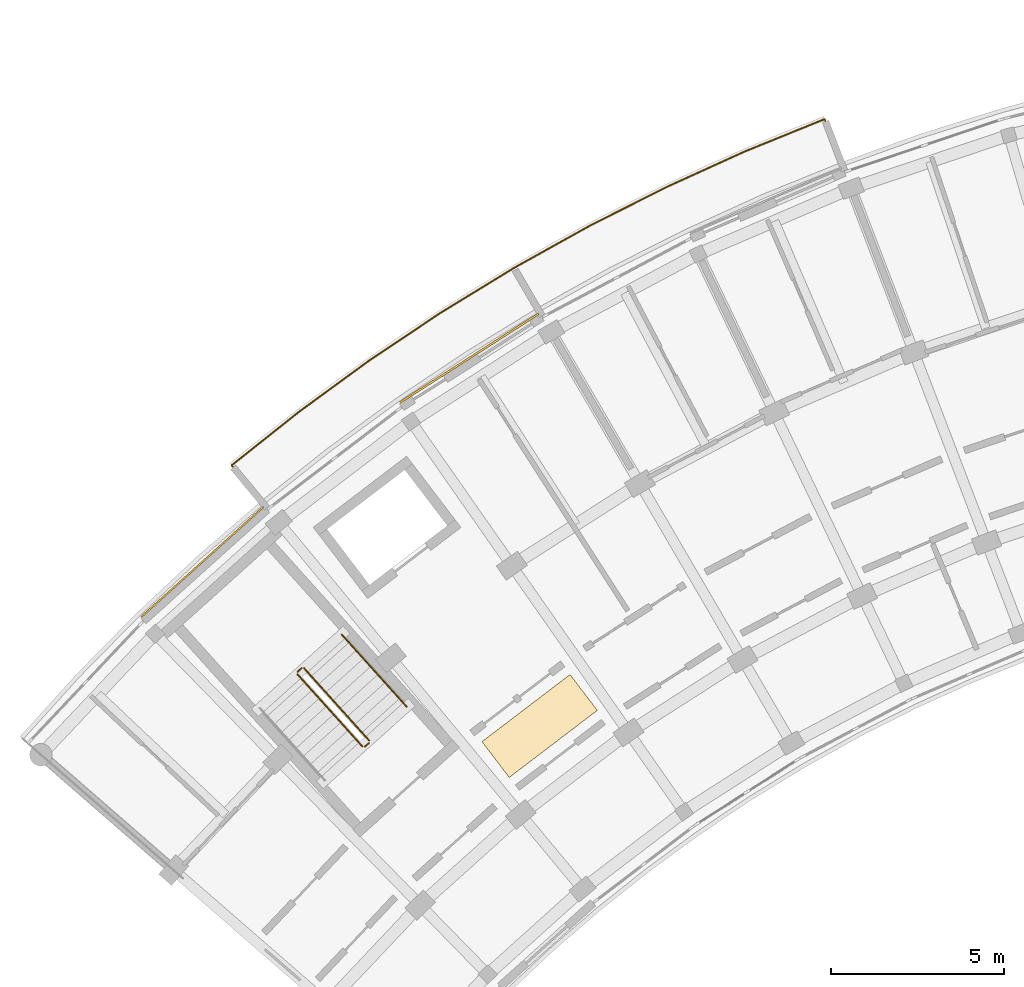
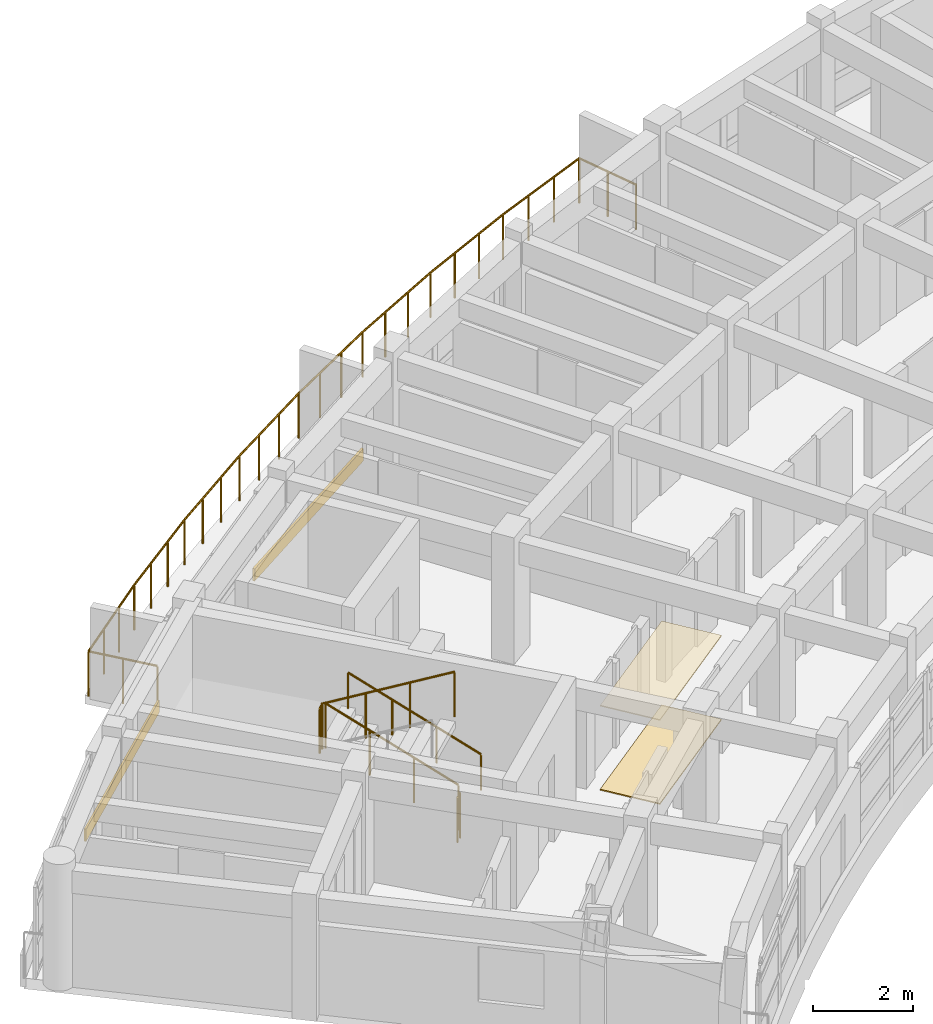
# One storey, part 33 of 40: 6 railings, 4 coverings.
"""IFC4 building model written with IfcOpenShell, lengths in metres."""

from ifc_helpers import new_model, si_unit, direction, frame, origin, origin_2d, place, context, subcontext, project, spatial, rectangle, circle, extrude, material, layer, layer_set, type_object, element, save


model = new_model("IFC4")

# Units and contexts
model_context = context("Model", 3, precision=1e-05, world=origin(), true_north=direction((0.0, 1.0)))
body_context = subcontext(model_context, "Body", "Model", "MODEL_VIEW")
ifc_project = project(units=[si_unit("LENGTHUNIT", "METRE"), si_unit("AREAUNIT", "SQUARE_METRE"), si_unit("VOLUMEUNIT", "CUBIC_METRE"), si_unit("PLANEANGLEUNIT", "RADIAN"), si_unit("MASSUNIT", "GRAM", prefix="KILO")], contexts=[model_context])

# Site, building, storey
site_placement = place(None, origin())
site = spatial("IfcSite", under=ifc_project, at=site_placement, CompositionType="ELEMENT")
building_placement = place(site_placement, origin())
building = spatial("IfcBuilding", under=site, at=building_placement, Name="Zimvara Arc Housing Community", CompositionType="ELEMENT")
storey_placement = place(building_placement, frame((0.0, 0.0, 32.89990234375)))
storey = spatial("IfcBuildingStorey", under=building, at=storey_placement, Name="L10", CompositionType="ELEMENT", Elevation=32.89990234375)

# Coverings
ifc_material_1 = material(Name="Pale-Gold Anodised Aluminium Cladding", Category="aluminium")
ifc_layer_1 = layer(ifc_material_1, 0.044921875)
ifc_layer_set_1 = layer_set([ifc_layer_1], Name="Pale-Gold Anodised Aluminium Cladding")
covering_type_1 = type_object("IfcCoveringType", Name="CLD-GOLD-02", PredefinedType="CLADDING", material=ifc_layer_set_1)
covering_1_placement = place(storey_placement, frame((5.22900390625, 88.701171875, 0.01025390625), z_axis=(0.0, 0.0, 1.0), x_axis=(0.74337718344, 0.668872456557, 0.0)))
element("IfcCovering", 1, at=covering_1_placement, inside=storey, type_object=covering_type_1, Name="cld:blkA:L10:out:b1", PredefinedType="CLADDING", context=body_context, shape_type="SweptSolid", body=[
    extrude(rectangle(XDim=4.748779296875, YDim=0.044921875, at=origin_2d()), origin(), (0.0, 0.0, 1.0), 0.300048828125),
])
ifc_material_2 = material(Name="Pale-Gold Anodised Aluminium Cladding", Category="aluminium")
ifc_layer_2 = layer(ifc_material_2, 0.054931640625)
ifc_layer_set_2 = layer_set([ifc_layer_2], Name="Pale-Gold Anodised Aluminium Cladding")
covering_type_2 = type_object("IfcCoveringType", Name="CLD-GOLD-04", PredefinedType="CLADDING", material=ifc_layer_set_2)
covering_2_placement = place(storey_placement, frame((12.94189453125, 94.58935546875, 0.01025390625), z_axis=(0.0, 0.0, 1.0), x_axis=(0.842265220048, 0.53906335351, 0.0)))
element("IfcCovering", 2, at=covering_2_placement, inside=storey, type_object=covering_type_2, Name="cld:blkA:L10:out:b3", PredefinedType="CLADDING", context=body_context, shape_type="SweptSolid", body=[
    extrude(rectangle(XDim=4.748779296875, YDim=0.054931640625, at=origin_2d()), origin(), (0.0, 0.0, 1.0), 0.300048828125),
])
ifc_material_3 = material(Name="Perforated Acoustic Ceiling Board")
ifc_layer_3 = layer(ifc_material_3, 0.02490234375)
ifc_layer_set_3 = layer_set([ifc_layer_3], Name="Perforated Acoustic Ceiling Board")
covering_type_3 = type_object("IfcCoveringType", Name="COV-CEIL-03", PredefinedType="CEILING", material=ifc_layer_set_3)
covering_3_placement = place(storey_placement, frame((14.974853515625, 83.959228515625, 2.05517578125), z_axis=(0.0, 0.0, 1.0), x_axis=(-0.605988400266, 0.795473480855, 0.0)))
element("IfcCovering", 3, at=covering_3_placement, inside=storey, type_object=covering_type_3, Name="ceil:blkA:L10", PredefinedType="CEILING", context=body_context, shape_type="SweptSolid", body=[
    extrude(rectangle(XDim=1.300048828125, YDim=3.199951171875, at=origin_2d()), origin(), (0.0, 0.0, 1.0), 0.02490234375),
])
ifc_material_4 = material(Name="Polished Coastal Sand Terrazzo")
ifc_layer_4 = layer(ifc_material_4, 0.028076171875)
ifc_layer_set_4 = layer_set([ifc_layer_4], Name="Polished Coastal Sand Terrazzo")
covering_type_4 = type_object("IfcCoveringType", Name="COV-FLOR-03", PredefinedType="FLOORING", material=ifc_layer_set_4)
covering_4_placement = place(storey_placement, frame((14.974853515625, 83.959228515625, 0.0), z_axis=(0.0, 0.0, 1.0), x_axis=(-0.605988400266, 0.795473480855, 0.0)))
element("IfcCovering", 4, at=covering_4_placement, inside=storey, type_object=covering_type_4, Name="flor:blkA:L10", PredefinedType="FLOORING", context=body_context, shape_type="SweptSolid", body=[
    extrude(rectangle(XDim=1.300048828125, YDim=3.199951171875, at=origin_2d()), origin(), (0.0, 0.0, 1.0), 0.028076171875),
])

# Railings
ifc_material_5 = material(Name="Anodised Aluminium AW-6063", Category="aluminium")
railing_type_1 = type_object("IfcRailingType", Name="RLG-BAL-1120", PredefinedType="BALUSTRADE", material=ifc_material_5)
railing_1_placement = place(storey_placement, frame((7.00927734375, 90.357666015625, 0.0)))
element("IfcRailing", 5, at=railing_1_placement, inside=storey, type_object=railing_type_1, Name="rlg:blkA:L10:bal_out_guard", PredefinedType="BALUSTRADE", context=body_context, shape_type="SweptSolid", body=[
    extrude(circle(Radius=0.02392578125, at=origin_2d()), frame((0.0, 0.0, 1.09619140625), z_axis=(-0.637992539284, 0.770042544161, 0.0), x_axis=(-0.770042544161, -0.637992539284, 0.0)), (0.0, 0.0, 1.0), 1.4697265625),
    extrude(circle(Radius=0.02392578125, at=origin_2d()), frame((-0.937744140625, 1.1318359375, 1.09619140625), z_axis=(0.782948045611, 0.622087098302, 0.0), x_axis=(-0.622087098302, 0.782948045611, 0.0)), (0.0, 0.0, 1.0), 2.4921875),
    extrude(circle(Radius=0.02392578125, at=origin_2d()), frame((1.013427734375, 2.68212890625, 1.09619140625), z_axis=(0.80765852685, 0.589650493095, 0.0), x_axis=(-0.589650493095, 0.80765852685, 0.0)), (0.0, 0.0, 1.0), 2.49169921875),
    extrude(circle(Radius=0.02392578125, at=origin_2d()), frame((3.02587890625, 4.1513671875, 1.09619140625), z_axis=(0.83106930865, 0.556168863044, 0.0), x_axis=(-0.556168863044, 0.83106930865, 0.0)), (0.0, 0.0, 1.0), 2.491943359375),
    extrude(circle(Radius=0.02392578125, at=origin_2d()), frame((5.096923828125, 5.537353515625, 1.09619140625), z_axis=(0.853131649433, 0.521695685947, 0.0), x_axis=(-0.521695685947, 0.853131649433, 0.0)), (0.0, 0.0, 1.0), 2.491943359375),
    extrude(circle(Radius=0.02392578125, at=origin_2d()), frame((7.222900390625, 6.83740234375, 1.09619140625), z_axis=(0.873653060707, 0.486549411178, 0.0), x_axis=(-0.486549411178, 0.873653060707, 0.0)), (0.0, 0.0, 1.0), 2.491943359375),
    extrude(circle(Radius=0.02392578125, at=origin_2d()), frame((9.39990234375, 8.0498046875, 1.09619140625), z_axis=(0.892834384016, 0.450385127107, 0.0), x_axis=(-0.450385127107, 0.892834384016, 0.0)), (0.0, 0.0, 1.0), 2.491943359375),
    extrude(circle(Radius=0.02392578125, at=origin_2d()), frame((11.624755859375, 9.172119140625, 1.09619140625), z_axis=(0.910443630497, 0.413633165604, 0.0), x_axis=(-0.413633165604, 0.910443630497, 0.0)), (0.0, 0.0, 1.0), 2.491943359375),
    extrude(circle(Radius=0.02392578125, at=origin_2d()), frame((13.8935546875, 10.202880859375, 1.09619140625), z_axis=(0.926613832847, 0.37601436778, 0.0), x_axis=(-0.37601436778, 0.926613832847, 0.0)), (0.0, 0.0, 1.0), 2.491943359375),
    extrude(circle(Radius=0.02392578125, at=origin_2d()), frame((16.20263671875, 11.139892578125, 1.09619140625), z_axis=(0.357086323574, -0.934071387805, 0.0), x_axis=(0.934071387805, 0.357086323574, 0.0)), (0.0, 0.0, 1.0), 1.469970703125),
    extrude(circle(Radius=0.02099609375, at=origin_2d()), origin(), (0.0, 0.0, 1.0), 1.072021484375),
    extrude(circle(Radius=0.02099609375, at=origin_2d()), frame((-0.46875, 0.56591796875, 0.0)), (0.0, 0.0, 1.0), 1.072021484375),
    extrude(circle(Radius=0.02099609375, at=origin_2d()), frame((-0.937744140625, 1.1318359375, 0.0)), (0.0, 0.0, 1.0), 1.072021484375),
    extrude(circle(Radius=0.02099609375, at=origin_2d()), frame((-0.287353515625, 1.648681640625, 0.0)), (0.0, 0.0, 1.0), 1.072021484375),
    extrude(circle(Radius=0.02099609375, at=origin_2d()), frame((0.363037109375, 2.165283203125, 0.0)), (0.0, 0.0, 1.0), 1.072021484375),
    extrude(circle(Radius=0.02099609375, at=origin_2d()), frame((1.013427734375, 2.68212890625, 0.0)), (0.0, 0.0, 1.0), 1.072021484375),
    extrude(circle(Radius=0.02099609375, at=origin_2d()), frame((1.684326171875, 3.171875, 0.0)), (0.0, 0.0, 1.0), 1.072021484375),
    extrude(circle(Radius=0.02099609375, at=origin_2d()), frame((2.35498046875, 3.66162109375, 0.0)), (0.0, 0.0, 1.0), 1.072021484375),
    extrude(circle(Radius=0.02099609375, at=origin_2d()), frame((3.02587890625, 4.1513671875, 0.0)), (0.0, 0.0, 1.0), 1.072021484375),
    extrude(circle(Radius=0.02099609375, at=origin_2d()), frame((3.71630859375, 4.61328125, 0.0)), (0.0, 0.0, 1.0), 1.072021484375),
    extrude(circle(Radius=0.02099609375, at=origin_2d()), frame((4.406494140625, 5.075439453125, 0.0)), (0.0, 0.0, 1.0), 1.072021484375),
    extrude(circle(Radius=0.02099609375, at=origin_2d()), frame((5.096923828125, 5.537353515625, 0.0)), (0.0, 0.0, 1.0), 1.072021484375),
    extrude(circle(Radius=0.02099609375, at=origin_2d()), frame((5.8056640625, 5.970703125, 0.0)), (0.0, 0.0, 1.0), 1.072021484375),
    extrude(circle(Radius=0.02099609375, at=origin_2d()), frame((6.51416015625, 6.404052734375, 0.0)), (0.0, 0.0, 1.0), 1.072021484375),
    extrude(circle(Radius=0.02099609375, at=origin_2d()), frame((7.222900390625, 6.83740234375, 0.0)), (0.0, 0.0, 1.0), 1.072021484375),
    extrude(circle(Radius=0.02099609375, at=origin_2d()), frame((7.948486328125, 7.241455078125, 0.0)), (0.0, 0.0, 1.0), 1.072021484375),
    extrude(circle(Radius=0.02099609375, at=origin_2d()), frame((8.67431640625, 7.645751953125, 0.0)), (0.0, 0.0, 1.0), 1.072021484375),
    extrude(circle(Radius=0.02099609375, at=origin_2d()), frame((9.39990234375, 8.0498046875, 0.0)), (0.0, 0.0, 1.0), 1.072021484375),
    extrude(circle(Radius=0.02099609375, at=origin_2d()), frame((10.1416015625, 8.423828125, 0.0)), (0.0, 0.0, 1.0), 1.072021484375),
    extrude(circle(Radius=0.02099609375, at=origin_2d()), frame((10.883056640625, 8.798095703125, 0.0)), (0.0, 0.0, 1.0), 1.072021484375),
    extrude(circle(Radius=0.02099609375, at=origin_2d()), frame((11.624755859375, 9.172119140625, 0.0)), (0.0, 0.0, 1.0), 1.072021484375),
    extrude(circle(Radius=0.02099609375, at=origin_2d()), frame((12.381103515625, 9.515625, 0.0)), (0.0, 0.0, 1.0), 1.072021484375),
    extrude(circle(Radius=0.02099609375, at=origin_2d()), frame((13.13720703125, 9.859375, 0.0)), (0.0, 0.0, 1.0), 1.072021484375),
    extrude(circle(Radius=0.02099609375, at=origin_2d()), frame((13.8935546875, 10.202880859375, 0.0)), (0.0, 0.0, 1.0), 1.072021484375),
    extrude(circle(Radius=0.02099609375, at=origin_2d()), frame((14.663330078125, 10.51513671875, 0.0)), (0.0, 0.0, 1.0), 1.072021484375),
    extrude(circle(Radius=0.02099609375, at=origin_2d()), frame((15.432861328125, 10.82763671875, 0.0)), (0.0, 0.0, 1.0), 1.072021484375),
    extrude(circle(Radius=0.02099609375, at=origin_2d()), frame((16.20263671875, 11.139892578125, 0.0)), (0.0, 0.0, 1.0), 1.072021484375),
    extrude(circle(Radius=0.02099609375, at=origin_2d()), frame((16.465087890625, 10.453369140625, 0.0)), (0.0, 0.0, 1.0), 1.072021484375),
    extrude(circle(Radius=0.02099609375, at=origin_2d()), frame((16.7275390625, 9.766845703125, 0.0)), (0.0, 0.0, 1.0), 1.072021484375),
])
railing_2_placement = place(storey_placement, frame((10.0478515625, 83.5400390625, 0.155029296875)))
element("IfcRailing", 6, at=railing_2_placement, inside=storey, type_object=railing_type_1, Name="L10 ST-A1 stair guard 1", PredefinedType="BALUSTRADE", context=body_context, shape_type="SweptSolid", body=[
    extrude(circle(Radius=0.02392578125, at=origin_2d()), frame((0.0, 0.0, 1.09619140625), z_axis=(-0.599018063854, 0.665748660595, 0.444922555162), x_axis=(-0.743380604779, -0.668868654101, 0.0)), (0.0, 0.0, 1.0), 3.135498046875),
    extrude(circle(Radius=0.02099609375, at=origin_2d()), origin(), (0.0, 0.0, 1.0), 1.072021484375),
    extrude(circle(Radius=0.02099609375, at=origin_2d()), frame((-0.6259765625, 0.69580078125, 0.465087890625)), (0.0, 0.0, 1.0), 1.072021484375),
    extrude(circle(Radius=0.02099609375, at=origin_2d()), frame((-1.252197265625, 1.3916015625, 0.929931640625)), (0.0, 0.0, 1.0), 1.072021484375),
    extrude(circle(Radius=0.02099609375, at=origin_2d()), frame((-1.878173828125, 2.08740234375, 1.39501953125)), (0.0, 0.0, 1.0), 1.072021484375),
])
railing_3_placement = place(storey_placement, frame((8.098876953125, 85.631103515625, 1.550048828125)))
element("IfcRailing", 7, at=railing_3_placement, inside=storey, type_object=railing_type_1, Name="L10 ST-A1 stair guard 2", PredefinedType="BALUSTRADE", context=body_context, shape_type="SweptSolid", body=[
    extrude(circle(Radius=0.02392578125, at=origin_2d()), frame((0.0, 0.0, 1.09619140625), z_axis=(-0.743521848755, -0.668711642207, 0.0), x_axis=(0.668711642207, -0.743521848755, 0.0)), (0.0, 0.0, 1.0), 0.159912109375),
    extrude(circle(Radius=0.02099609375, at=origin_2d()), origin(), (0.0, 0.0, 1.0), 1.072021484375),
    extrude(circle(Radius=0.02099609375, at=origin_2d()), frame((-0.118896484375, -0.10693359375, 0.0)), (0.0, 0.0, 1.0), 1.072021484375),
])
railing_4_placement = place(storey_placement, frame((7.976318359375, 85.453369140625, 1.705078125)))
element("IfcRailing", 8, at=railing_4_placement, inside=storey, type_object=railing_type_1, Name="L10 ST-A1 stair guard 3", PredefinedType="BALUSTRADE", context=body_context, shape_type="SweptSolid", body=[
    extrude(circle(Radius=0.02392578125, at=origin_2d()), frame((0.0, 0.0, 1.09619140625), z_axis=(0.599018063854, -0.665748660595, 0.444922555162), x_axis=(0.743380604779, 0.668868654101, 0.0)), (0.0, 0.0, 1.0), 3.135498046875),
    extrude(circle(Radius=0.02099609375, at=origin_2d()), origin(), (0.0, 0.0, 1.0), 1.072021484375),
    extrude(circle(Radius=0.02099609375, at=origin_2d()), frame((0.6259765625, -0.69580078125, 0.465087890625)), (0.0, 0.0, 1.0), 1.072021484375),
    extrude(circle(Radius=0.02099609375, at=origin_2d()), frame((1.252197265625, -1.3916015625, 0.929931640625)), (0.0, 0.0, 1.0), 1.072021484375),
    extrude(circle(Radius=0.02099609375, at=origin_2d()), frame((1.878173828125, -2.08740234375, 1.39501953125)), (0.0, 0.0, 1.0), 1.072021484375),
])
railing_5_placement = place(storey_placement, frame((10.0439453125, 83.469482421875, 0.0)))
element("IfcRailing", 9, at=railing_5_placement, inside=storey, type_object=railing_type_1, Name="L10 ST-A1 stair guard 4", PredefinedType="BALUSTRADE", context=body_context, shape_type="SweptSolid", body=[
    extrude(circle(Radius=0.02392578125, at=origin_2d()), frame((0.0, 0.0, 1.09619140625), z_axis=(-0.742763048172, -0.669554369913, 0.0), x_axis=(0.669554369913, -0.742763048172, 0.0)), (0.0, 0.0, 1.0), 0.16015625),
    extrude(circle(Radius=0.02099609375, at=origin_2d()), origin(), (0.0, 0.0, 1.0), 1.072021484375),
    extrude(circle(Radius=0.02099609375, at=origin_2d()), frame((-0.118896484375, -0.107177734375, 0.0)), (0.0, 0.0, 1.0), 1.072021484375),
])
ifc_material_6 = material(Name="Anodised Aluminium AW-6063", Category="aluminium")
railing_type_2 = type_object("IfcRailingType", Name="RLG-HND-900", PredefinedType="HANDRAIL", material=ifc_material_6)
railing_6_placement = place(storey_placement, frame((11.133056640625, 84.5166015625, 0.155029296875)))
element("IfcRailing", 10, at=railing_6_placement, inside=storey, type_object=railing_type_2, Name="L10 ST-A1 stair handrail 1", PredefinedType="HANDRAIL", context=body_context, shape_type="SweptSolid", body=[
    extrude(circle(Radius=0.02392578125, at=origin_2d()), frame((0.0, 0.0, 0.8759765625), z_axis=(-0.599018063854, 0.665748660595, 0.444922555162), x_axis=(-0.743380604779, -0.668868654101, 0.0)), (0.0, 0.0, 1.0), 3.135498046875),
    extrude(circle(Radius=0.02099609375, at=origin_2d()), origin(), (0.0, 0.0, 1.0), 0.851806640625),
    extrude(circle(Radius=0.02099609375, at=origin_2d()), frame((-0.6259765625, 0.69580078125, 0.465087890625)), (0.0, 0.0, 1.0), 0.851806640625),
    extrude(circle(Radius=0.02099609375, at=origin_2d()), frame((-1.252197265625, 1.3916015625, 0.929931640625)), (0.0, 0.0, 1.0), 0.851806640625),
    extrude(circle(Radius=0.02099609375, at=origin_2d()), frame((-1.878173828125, 2.08740234375, 1.39501953125)), (0.0, 0.0, 1.0), 0.851806640625),
])

save(model, "model.ifc")
